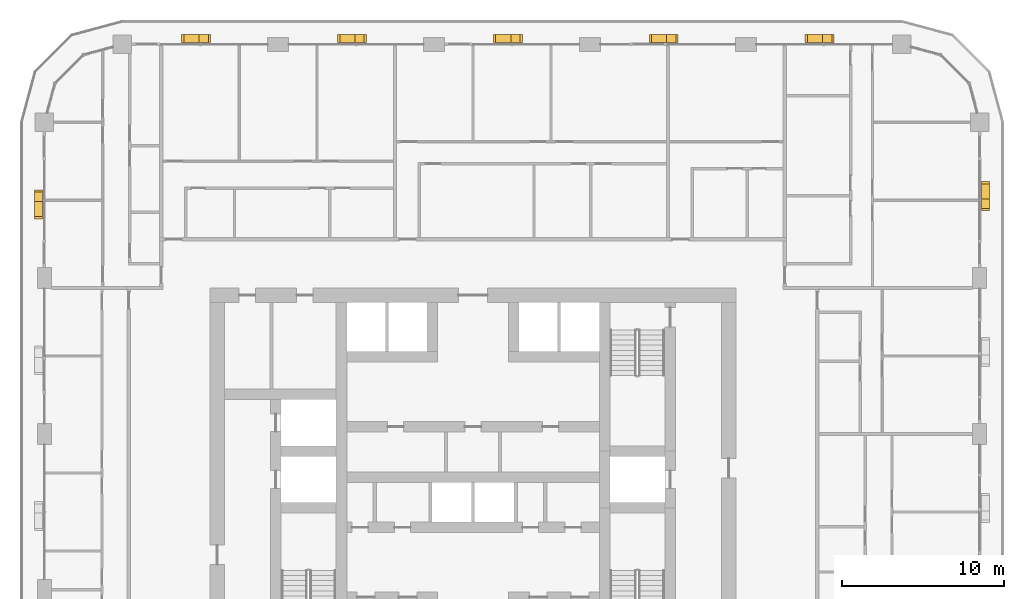
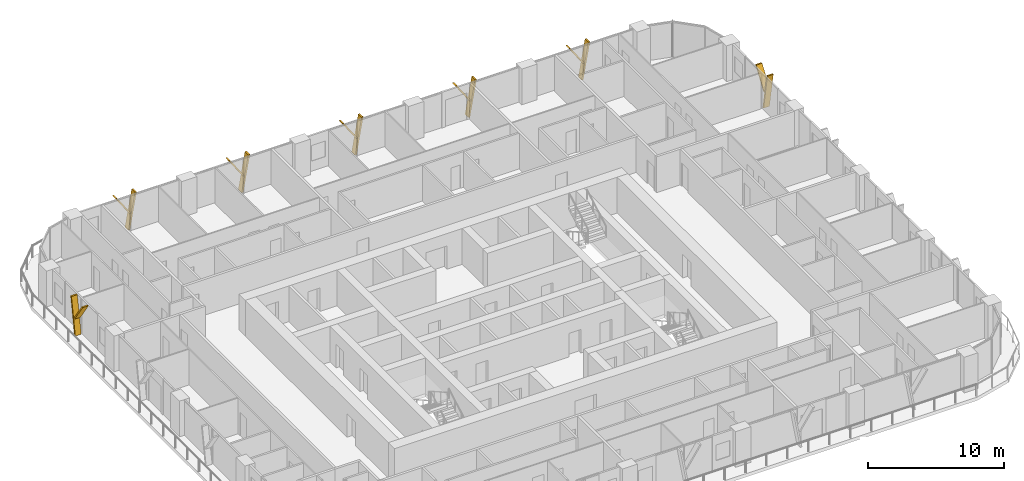
# One storey, part 21 of 21: 14 shading devices.
"""IFC4 building model written with IfcOpenShell, lengths in metres."""

from ifc_helpers import new_model, si_unit, direction, frame, origin, place, context, subcontext, project, spatial, polyline, outline, extrude, material, type_object, element, save


model = new_model("IFC4")

# Units and contexts
model_context = context("Model", 3, precision=1e-05, world=origin(), true_north=direction((0.0, 1.0)))
body_context = subcontext(model_context, "Body", "Model", "MODEL_VIEW")
ifc_project = project(units=[si_unit("LENGTHUNIT", "METRE"), si_unit("AREAUNIT", "SQUARE_METRE"), si_unit("VOLUMEUNIT", "CUBIC_METRE"), si_unit("PLANEANGLEUNIT", "RADIAN"), si_unit("MASSUNIT", "GRAM", prefix="KILO")], contexts=[model_context])

# Site, building, storey
site_placement = place(None, origin())
site = spatial("IfcSite", under=ifc_project, at=site_placement, CompositionType="ELEMENT")
building_placement = place(site_placement, origin())
building = spatial("IfcBuilding", under=site, at=building_placement, Name="Madar Terraces", CompositionType="ELEMENT")
storey_placement = place(building_placement, frame((0.0, 0.0, 89.199951171875)))
storey = spatial("IfcBuildingStorey", under=building, at=storey_placement, Name="L22", CompositionType="ELEMENT", Elevation=89.199951171875)

# Shading devices
ifc_material = material(Name="Aluminium, black anodised", Category="aluminium")
shading_device_type = type_object("IfcShadingDeviceType", Name="Facade fin blade 140 x 500", PredefinedType="USERDEFINED", material=ifc_material)
shading_device_1_placement = place(storey_placement, frame((62.75, 43.1298828125, 0.0), z_axis=(0.0, 0.0, 1.0), x_axis=(0.0, 1.0, 0.0)))
element("IfcShadingDevice", 1, at=shading_device_1_placement, inside=storey, type_object=shading_device_type, Name="FIN L22 E4", ObjectType="FIN", PredefinedType="USERDEFINED", context=body_context, shape_type="SweptSolid", body=[
    extrude(outline(polyline([(0.0, 0.0), (0.14013671875, 0.0), (-0.42431640625, 3.199951171875), (-0.564208984375, 3.199951171875), (0.0, 0.0)])), frame((0.0, 0.25, 0.0), z_axis=(0.0, -1.0, 0.0), x_axis=(1.0, 0.0, 0.0)), (0.0, 0.0, 1.0), 0.5),
])
shading_device_2_placement = place(storey_placement, frame((62.75, 43.01611328125, 1.43994140625), z_axis=(0.0, 0.0, 1.0), x_axis=(0.0, 1.0, 0.0)))
element("IfcShadingDevice", 2, at=shading_device_2_placement, inside=storey, type_object=shading_device_type, Name="FIN L22 E4 branch", ObjectType="FIN", PredefinedType="USERDEFINED", context=body_context, shape_type="SweptSolid", body=[
    extrude(outline(polyline([(0.0, 0.0), (0.139892578125, 0.0), (1.32958984375, 1.760009765625), (1.189697265625, 1.760009765625), (0.0, 0.0)])), frame((0.0, 0.25, 0.0), z_axis=(0.0, -1.0, 0.0), x_axis=(1.0, 0.0, 0.0)), (0.0, 0.0, 1.0), 0.5),
])
shading_device_3_placement = place(storey_placement, frame((52.8701171875, 53.14990234375, 0.0), z_axis=(0.0, 0.0, 1.0), x_axis=(-1.0, 0.0, 0.0)))
element("IfcShadingDevice", 3, at=shading_device_3_placement, inside=storey, type_object=shading_device_type, Name="FIN L22 N1", ObjectType="FIN", PredefinedType="USERDEFINED", context=body_context, shape_type="SweptSolid", body=[
    extrude(outline(polyline([(0.0, 0.0), (0.14013671875, 0.0), (-0.42431640625, 3.199951171875), (-0.564208984375, 3.199951171875), (0.0, 0.0)])), frame((0.0, 0.25, 0.0), z_axis=(0.0, -1.0, 0.0), x_axis=(1.0, 0.0, 0.0)), (0.0, 0.0, 1.0), 0.5),
])
shading_device_4_placement = place(storey_placement, frame((52.98388671875, 53.14990234375, 1.43994140625), z_axis=(0.0, 0.0, 1.0), x_axis=(-1.0, 0.0, 0.0)))
element("IfcShadingDevice", 4, at=shading_device_4_placement, inside=storey, type_object=shading_device_type, Name="FIN L22 N1 branch", ObjectType="FIN", PredefinedType="USERDEFINED", context=body_context, shape_type="SweptSolid", body=[
    extrude(outline(polyline([(0.0, 0.0), (0.139892578125, 0.0), (1.32958984375, 1.760009765625), (1.189697265625, 1.760009765625), (0.0, 0.0)])), frame((0.0, 0.25, 0.0), z_axis=(0.0, -1.0, 0.0), x_axis=(1.0, 0.0, 0.0)), (0.0, 0.0, 1.0), 0.5),
])
shading_device_5_placement = place(storey_placement, frame((43.27001953125, 53.14990234375, 0.0), z_axis=(0.0, 0.0, 1.0), x_axis=(-1.0, 0.0, 0.0)))
element("IfcShadingDevice", 5, at=shading_device_5_placement, inside=storey, type_object=shading_device_type, Name="FIN L22 N2", ObjectType="FIN", PredefinedType="USERDEFINED", context=body_context, shape_type="SweptSolid", body=[
    extrude(outline(polyline([(0.0, 0.0), (0.14013671875, 0.0), (-0.42431640625, 3.199951171875), (-0.564208984375, 3.199951171875), (0.0, 0.0)])), frame((0.0, 0.25, 0.0), z_axis=(0.0, -1.0, 0.0), x_axis=(1.0, 0.0, 0.0)), (0.0, 0.0, 1.0), 0.5),
])
shading_device_6_placement = place(storey_placement, frame((43.3837890625, 53.14990234375, 1.43994140625), z_axis=(0.0, 0.0, 1.0), x_axis=(-1.0, 0.0, 0.0)))
element("IfcShadingDevice", 6, at=shading_device_6_placement, inside=storey, type_object=shading_device_type, Name="FIN L22 N2 branch", ObjectType="FIN", PredefinedType="USERDEFINED", context=body_context, shape_type="SweptSolid", body=[
    extrude(outline(polyline([(0.0, 0.0), (0.139892578125, 0.0), (1.32958984375, 1.760009765625), (1.189697265625, 1.760009765625), (0.0, 0.0)])), frame((0.0, 0.25, 0.0), z_axis=(0.0, -1.0, 0.0), x_axis=(1.0, 0.0, 0.0)), (0.0, 0.0, 1.0), 0.5),
])
shading_device_7_placement = place(storey_placement, frame((33.669921875, 53.14990234375, 0.0), z_axis=(0.0, 0.0, 1.0), x_axis=(-1.0, 0.0, 0.0)))
element("IfcShadingDevice", 7, at=shading_device_7_placement, inside=storey, type_object=shading_device_type, Name="FIN L22 N3", ObjectType="FIN", PredefinedType="USERDEFINED", context=body_context, shape_type="SweptSolid", body=[
    extrude(outline(polyline([(0.0, 0.0), (0.139892578125, 0.0), (-0.42431640625, 3.199951171875), (-0.564208984375, 3.199951171875), (0.0, 0.0)])), frame((0.0, 0.25, 0.0), z_axis=(0.0, -1.0, 0.0), x_axis=(1.0, 0.0, 0.0)), (0.0, 0.0, 1.0), 0.5),
])
shading_device_8_placement = place(storey_placement, frame((33.783935546875, 53.14990234375, 1.43994140625), z_axis=(0.0, 0.0, 1.0), x_axis=(-1.0, 0.0, 0.0)))
element("IfcShadingDevice", 8, at=shading_device_8_placement, inside=storey, type_object=shading_device_type, Name="FIN L22 N3 branch", ObjectType="FIN", PredefinedType="USERDEFINED", context=body_context, shape_type="SweptSolid", body=[
    extrude(outline(polyline([(0.0, 0.0), (0.14013671875, 0.0), (1.32958984375, 1.760009765625), (1.189697265625, 1.760009765625), (0.0, 0.0)])), frame((0.0, 0.25, 0.0), z_axis=(0.0, -1.0, 0.0), x_axis=(1.0, 0.0, 0.0)), (0.0, 0.0, 1.0), 0.5),
])
shading_device_9_placement = place(storey_placement, frame((24.070068359375, 53.14990234375, 0.0), z_axis=(0.0, 0.0, 1.0), x_axis=(-1.0, 0.0, 0.0)))
element("IfcShadingDevice", 9, at=shading_device_9_placement, inside=storey, type_object=shading_device_type, Name="FIN L22 N4", ObjectType="FIN", PredefinedType="USERDEFINED", context=body_context, shape_type="SweptSolid", body=[
    extrude(outline(polyline([(0.0, 0.0), (0.14013671875, 0.0), (-0.42431640625, 3.199951171875), (-0.564208984375, 3.199951171875), (0.0, 0.0)])), frame((0.0, 0.25, 0.0), z_axis=(0.0, -1.0, 0.0), x_axis=(1.0, 0.0, 0.0)), (0.0, 0.0, 1.0), 0.5),
])
shading_device_10_placement = place(storey_placement, frame((24.183837890625, 53.14990234375, 1.43994140625), z_axis=(0.0, 0.0, 1.0), x_axis=(-1.0, 0.0, 0.0)))
element("IfcShadingDevice", 10, at=shading_device_10_placement, inside=storey, type_object=shading_device_type, Name="FIN L22 N4 branch", ObjectType="FIN", PredefinedType="USERDEFINED", context=body_context, shape_type="SweptSolid", body=[
    extrude(outline(polyline([(0.0, 0.0), (0.139892578125, 0.0), (1.32958984375, 1.760009765625), (1.189697265625, 1.760009765625), (0.0, 0.0)])), frame((0.0, 0.25, 0.0), z_axis=(0.0, -1.0, 0.0), x_axis=(1.0, 0.0, 0.0)), (0.0, 0.0, 1.0), 0.5),
])
shading_device_11_placement = place(storey_placement, frame((14.469970703125, 53.14990234375, 0.0), z_axis=(0.0, 0.0, 1.0), x_axis=(-1.0, 0.0, 0.0)))
element("IfcShadingDevice", 11, at=shading_device_11_placement, inside=storey, type_object=shading_device_type, Name="FIN L22 N5", ObjectType="FIN", PredefinedType="USERDEFINED", context=body_context, shape_type="SweptSolid", body=[
    extrude(outline(polyline([(0.0, 0.0), (0.139892578125, 0.0), (-0.42431640625, 3.199951171875), (-0.564208984375, 3.199951171875), (0.0, 0.0)])), frame((0.0, 0.25, 0.0), z_axis=(0.0, -1.0, 0.0), x_axis=(1.0, 0.0, 0.0)), (0.0, 0.0, 1.0), 0.5),
])
shading_device_12_placement = place(storey_placement, frame((14.583984375, 53.14990234375, 1.43994140625), z_axis=(0.0, 0.0, 1.0), x_axis=(-1.0, 0.0, 0.0)))
element("IfcShadingDevice", 12, at=shading_device_12_placement, inside=storey, type_object=shading_device_type, Name="FIN L22 N5 branch", ObjectType="FIN", PredefinedType="USERDEFINED", context=body_context, shape_type="SweptSolid", body=[
    extrude(outline(polyline([(0.0, 0.0), (0.14013671875, 0.0), (1.32958984375, 1.760009765625), (1.189697265625, 1.760009765625), (0.0, 0.0)])), frame((0.0, 0.25, 0.0), z_axis=(0.0, -1.0, 0.0), x_axis=(1.0, 0.0, 0.0)), (0.0, 0.0, 1.0), 0.5),
])
shading_device_13_placement = place(storey_placement, frame((4.449951171875, 43.27001953125, 0.0), z_axis=(0.0, 0.0, 1.0), x_axis=(0.0, -1.0, 0.0)))
element("IfcShadingDevice", 13, at=shading_device_13_placement, inside=storey, type_object=shading_device_type, Name="FIN L22 W1", ObjectType="FIN", PredefinedType="USERDEFINED", context=body_context, shape_type="SweptSolid", body=[
    extrude(outline(polyline([(0.0, 0.0), (0.14013671875, 0.0), (-0.42431640625, 3.199951171875), (-0.564208984375, 3.199951171875), (0.0, 0.0)])), frame((0.0, 0.25, 0.0), z_axis=(0.0, -1.0, 0.0), x_axis=(1.0, 0.0, 0.0)), (0.0, 0.0, 1.0), 0.5),
])
shading_device_14_placement = place(storey_placement, frame((4.449951171875, 43.3837890625, 1.43994140625), z_axis=(0.0, 0.0, 1.0), x_axis=(0.0, -1.0, 0.0)))
element("IfcShadingDevice", 14, at=shading_device_14_placement, inside=storey, type_object=shading_device_type, Name="FIN L22 W1 branch", ObjectType="FIN", PredefinedType="USERDEFINED", context=body_context, shape_type="SweptSolid", body=[
    extrude(outline(polyline([(0.0, 0.0), (0.139892578125, 0.0), (1.32958984375, 1.760009765625), (1.189697265625, 1.760009765625), (0.0, 0.0)])), frame((0.0, 0.25, 0.0), z_axis=(0.0, -1.0, 0.0), x_axis=(1.0, 0.0, 0.0)), (0.0, 0.0, 1.0), 0.5),
])

save(model, "model.ifc")
